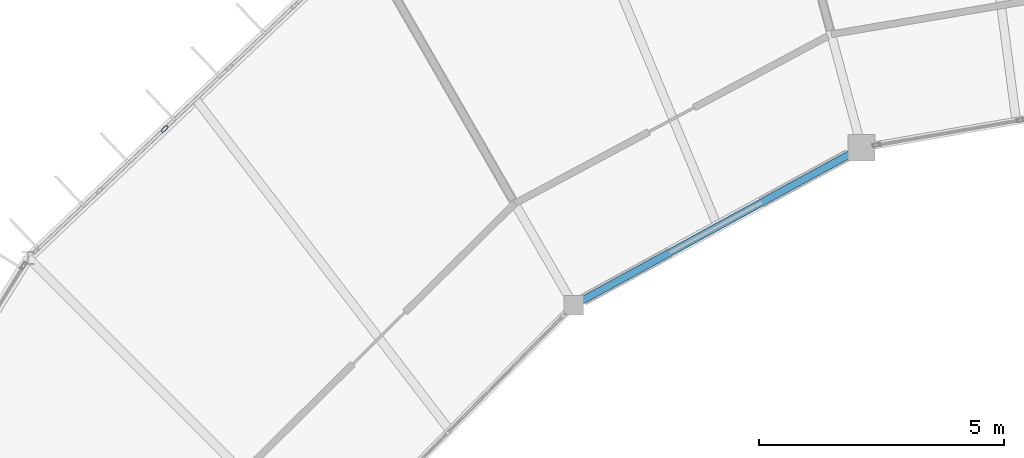
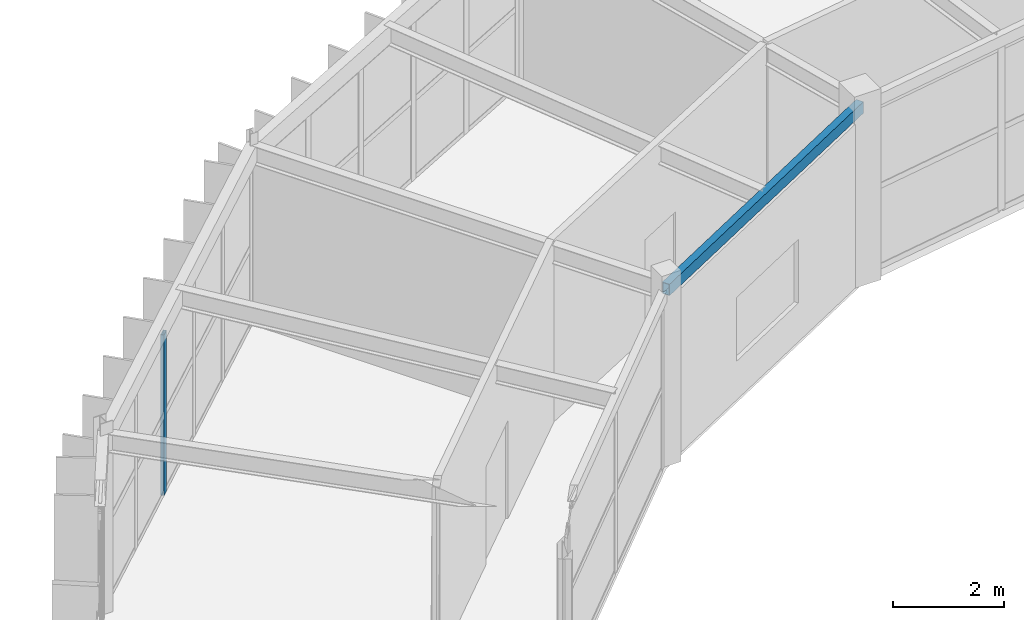
# One storey, part 59 of 106: 1 beam, 1 member, 1 element without a shape of its own.
"""IFC4 building model written with IfcOpenShell, lengths in metres."""

from ifc_helpers import new_model, si_unit, direction, frame, origin, origin_2d, place, context, subcontext, project, spatial, hollow_rectangle, extrude, material, material_profile, profile_set, type_object, element, aggregate, save


model = new_model("IFC4")

# Units and contexts
model_context = context("Model", 3, precision=1e-05, world=origin(), true_north=direction((0.0, 1.0)))
body_context = subcontext(model_context, "Body", "Model", "MODEL_VIEW")
ifc_project = project(units=[si_unit("LENGTHUNIT", "METRE"), si_unit("AREAUNIT", "SQUARE_METRE"), si_unit("VOLUMEUNIT", "CUBIC_METRE"), si_unit("PLANEANGLEUNIT", "RADIAN"), si_unit("MASSUNIT", "GRAM", prefix="KILO")], contexts=[model_context])

# Site, building, storey
site_placement = place(None, origin())
site = spatial("IfcSite", under=ifc_project, at=site_placement, CompositionType="ELEMENT")
building_placement = place(site_placement, origin())
building = spatial("IfcBuilding", under=site, at=building_placement, Name="Karori Crest Natural Sciences Institute", CompositionType="ELEMENT")
storey_placement = place(building_placement, frame((0.0, 0.0, 25.89990234375)))
storey = spatial("IfcBuildingStorey", under=building, at=storey_placement, Name="L06", CompositionType="ELEMENT", Elevation=25.89990234375)

# Beam
ifc_material_1 = material(Name="Hollow structural steel AS/NZS 1163 Grade C350", Category="steel")
ifc_material_profile_1 = material_profile(ifc_material_1, hollow_rectangle(XDim=0.14990234375, YDim=0.25, WallThickness=0.009033203125, at=origin_2d()), Name="RHS250x150x9")
ifc_profile_set_1 = profile_set([ifc_material_profile_1], Name="Hollow structural steel AS/NZS 1163 Grade C350")
beam_type = type_object("IfcBeamType", Name="BT-16", PredefinedType="SPANDREL", material=ifc_profile_set_1)
beam_placement = place(storey_placement, frame((60.084716796875, 81.002685546875, 3.739990234375), z_axis=(-0.877461157042, -0.479647701842, 0.0), x_axis=(0.479647701842, -0.877461157042, 0.0)))
element("IfcBeam", 1, at=beam_placement, inside=storey, type_object=beam_type, Name="Beam B-0666", PredefinedType="SPANDREL", context=body_context, shape_type="SweptSolid", body=[
    extrude(hollow_rectangle(XDim=0.14990234375, YDim=0.25, WallThickness=0.009033203125, at=origin_2d()), origin(), (0.0, 0.0, 1.0), 6.70654296875),
])

# Curtain wall, member
ifc_material_2 = material(Name="Anodised architectural aluminium 6063-T6", Category="aluminium")
curtain_wall_type = type_object("IfcCurtainWallType", Name="CWT-09", PredefinedType="NOTDEFINED", material=ifc_material_2)
curtain_wall_placement = place(storey_placement, origin())
curtain_wall = element("IfcCurtainWall", 2, at=curtain_wall_placement, inside=storey, type_object=curtain_wall_type, Name="Curtain wall CW-0232", PredefinedType="NOTDEFINED")
ifc_material_profile_2 = material_profile(ifc_material_2, hollow_rectangle(XDim=0.06494140625, YDim=0.159912109375, WallThickness=0.00390625, at=origin_2d()), Name="CWM160x65x4")
ifc_profile_set_2 = profile_set([ifc_material_profile_2], Name="Anodised architectural aluminium 6063-T6")
member_type = type_object("IfcMemberType", Name="CWM-01", PredefinedType="MULLION", material=ifc_profile_set_2)
member_placement = place(storey_placement, frame((45.844970703125, 81.386962890625, 0.0), z_axis=(0.0, 0.0, 1.0), x_axis=(-0.688250542104, 0.725473081026, 0.0)))
member = element("IfcMember", 3, at=member_placement, type_object=member_type, Name="CW-0232 mullion 3", PredefinedType="MULLION", context=body_context, shape_type="SweptSolid", body=[
    extrude(hollow_rectangle(XDim=0.06494140625, YDim=0.159912109375, WallThickness=0.00390625, at=origin_2d()), origin(), (0.0, 0.0, 1.0), 3.525146484375),
])
aggregate(curtain_wall, [member])

save(model, "model.ifc")
